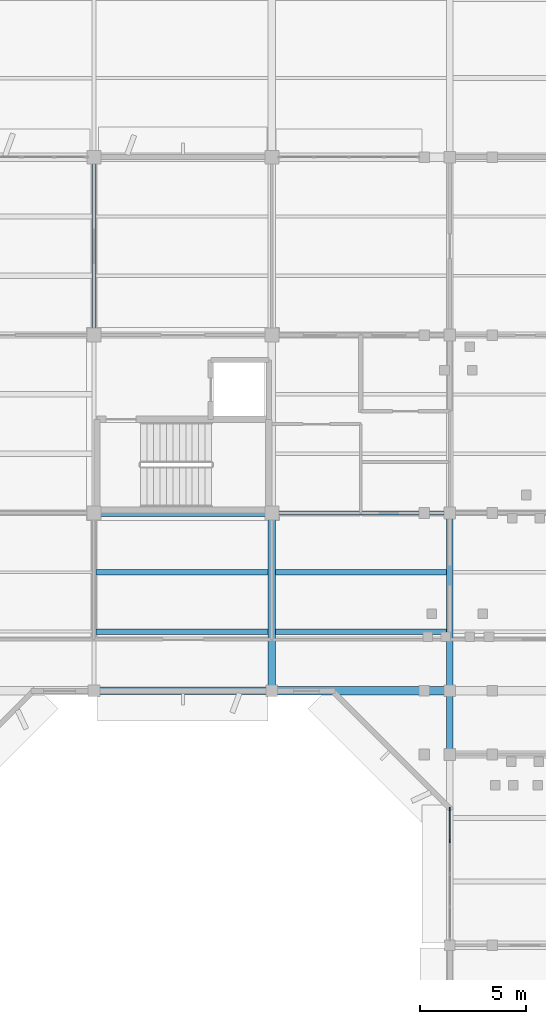
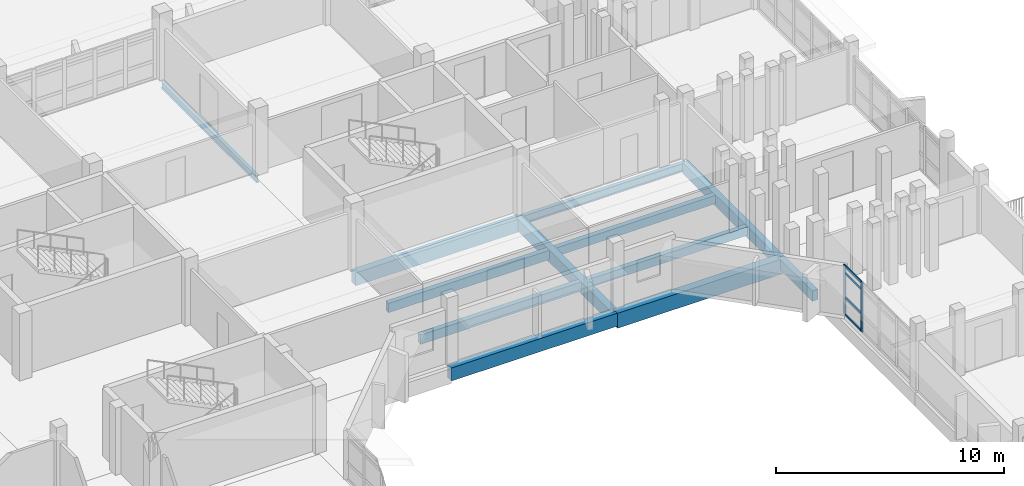
# One storey, part 37 of 92: 12 beams, 6 members, 1 element without a shape of its own.
"""IFC4 building model written with IfcOpenShell, lengths in metres."""

from ifc_helpers import new_model, si_unit, direction, frame, origin, origin_2d, place, context, subcontext, project, spatial, rectangle, i_section, extrude, material, material_profile, profile_set, type_object, element, aggregate, save


model = new_model("IFC4")

# Units and contexts
model_context = context("Model", 3, precision=1e-05, world=origin(), true_north=direction((0.0, 1.0)))
body_context = subcontext(model_context, "Body", "Model", "MODEL_VIEW")
ifc_project = project(units=[si_unit("LENGTHUNIT", "METRE"), si_unit("AREAUNIT", "SQUARE_METRE"), si_unit("VOLUMEUNIT", "CUBIC_METRE"), si_unit("PLANEANGLEUNIT", "RADIAN"), si_unit("MASSUNIT", "GRAM", prefix="KILO")], contexts=[model_context])

# Site, building, storey
site_placement = place(None, origin())
site = spatial("IfcSite", under=ifc_project, at=site_placement, CompositionType="ELEMENT")
building_placement = place(site_placement, origin())
building = spatial("IfcBuilding", under=site, at=building_placement, Name="Vanh Quang Courtyard School", CompositionType="ELEMENT")
storey_placement = place(building_placement, frame((0.0, 0.0, 7.800048828125)))
storey = spatial("IfcBuildingStorey", under=building, at=storey_placement, Name="L02", CompositionType="ELEMENT", Elevation=7.800048828125)

# Beams
ifc_material_1 = material(Name="Concrete C35/45", Category="concrete")
ifc_material_profile_1 = material_profile(ifc_material_1, rectangle(XDim=0.300048828125, YDim=0.550048828125, at=origin_2d()), Name="RC-BM 300x550")
ifc_profile_set_1 = profile_set([ifc_material_profile_1], Name="Concrete C35/45")
beam_type_1 = type_object("IfcBeamType", Name="BM-RC-300x550", PredefinedType="BEAM", material=ifc_profile_set_1)
beam_1_placement = place(storey_placement, frame((111.0, 68.39990234375, -0.554931640625), z_axis=(0.0, 1.0, 0.0), x_axis=(-1.0, 0.0, 0.0)))
element("IfcBeam", 1, at=beam_1_placement, inside=storey, type_object=beam_type_1, Name="Beam B-07 (L02)", PredefinedType="BEAM", context=body_context, shape_type="SweptSolid", body=[
    extrude(rectangle(XDim=0.300048828125, YDim=0.550048828125, at=origin_2d()), origin(), (0.0, 0.0, 1.0), 3.0),
])
ifc_material_profile_2 = material_profile(ifc_material_1, rectangle(XDim=0.300048828125, YDim=0.60009765625, at=origin_2d()), Name="RC-BM 300x600")
ifc_profile_set_2 = profile_set([ifc_material_profile_2], Name="Concrete C35/45")
beam_type_2 = type_object("IfcBeamType", Name="BM-RC-300x600", PredefinedType="BEAM", material=ifc_profile_set_2)
beam_2_placement = place(storey_placement, frame((111.0, 71.39990234375, -0.580078125), z_axis=(0.0, 1.0, 0.0), x_axis=(-1.0, 0.0, 0.0)))
element("IfcBeam", 2, at=beam_2_placement, inside=storey, type_object=beam_type_2, Name="Beam B-06 (L02)", PredefinedType="BEAM", context=body_context, shape_type="SweptSolid", body=[
    extrude(rectangle(XDim=0.300048828125, YDim=0.60009765625, at=origin_2d()), origin(), (0.0, 0.0, 1.0), 8.400146484375),
])
ifc_material_profile_3 = material_profile(ifc_material_1, rectangle(XDim=0.35009765625, YDim=0.64990234375, at=origin_2d()), Name="RC-BM 350x650")
ifc_profile_set_3 = profile_set([ifc_material_profile_3], Name="Concrete C35/45")
beam_type_3 = type_object("IfcBeamType", Name="BM-RC-350x650", PredefinedType="BEAM", material=ifc_profile_set_3)
beam_3_placement = place(storey_placement, frame((102.60009765625, 71.39990234375, -0.60498046875), z_axis=(0.0, 1.0, 0.0), x_axis=(-1.0, 0.0, 0.0)))
element("IfcBeam", 3, at=beam_3_placement, inside=storey, type_object=beam_type_3, Name="Beam B-05 (L02)", PredefinedType="BEAM", context=body_context, shape_type="SweptSolid", body=[
    extrude(rectangle(XDim=0.35009765625, YDim=0.64990234375, at=origin_2d()), origin(), (0.0, 0.0, 1.0), 8.400146484375),
])
ifc_material_profile_4 = material_profile(ifc_material_1, rectangle(XDim=0.35009765625, YDim=0.699951171875, at=origin_2d()), Name="RC-BM 350x700")
ifc_profile_set_4 = profile_set([ifc_material_profile_4], Name="Concrete C35/45")
beam_type_4 = type_object("IfcBeamType", Name="BM-RC-350x700", PredefinedType="BEAM", material=ifc_profile_set_4)
for number, where, z_axis, x_axis, name in (
    (4, (94.199951171875, 71.39990234375, -0.630126953125), (1.0, 0.0, 0.0), (0.0, 1.0, 0.0), "Beam B-04 (L02)"),
    (5, (94.199951171875, 79.800048828125, -0.630126953125), (1.0, 0.0, 0.0), (0.0, 1.0, 0.0), "Beam B-04 (L02)"),
):
    element("IfcBeam", number, at=place(storey_placement, frame(where, z_axis=z_axis, x_axis=x_axis)), inside=storey, type_object=beam_type_4, Name=name, PredefinedType="BEAM", context=body_context, shape_type="SweptSolid", body=[
        extrude(rectangle(XDim=0.35009765625, YDim=0.699951171875, at=origin_2d()), origin(), (0.0, 0.0, 1.0), 8.400146484375),
    ])
ifc_material_profile_5 = material_profile(ifc_material_1, rectangle(XDim=0.39990234375, YDim=0.800048828125, at=origin_2d()), Name="RC-BM 400x800")
ifc_profile_set_5 = profile_set([ifc_material_profile_5], Name="Concrete C35/45")
beam_type_5 = type_object("IfcBeamType", Name="BM-RC-400x800", PredefinedType="BEAM", material=ifc_profile_set_5)
beam_4_placement = place(storey_placement, frame((102.60009765625, 71.39990234375, -0.679931640625), z_axis=(1.0, 0.0, 0.0), x_axis=(0.0, 1.0, 0.0)))
element("IfcBeam", 6, at=beam_4_placement, inside=storey, type_object=beam_type_5, Name="Beam B-02 (L02)", PredefinedType="BEAM", context=body_context, shape_type="SweptSolid", body=[
    extrude(rectangle(XDim=0.39990234375, YDim=0.800048828125, at=origin_2d()), origin(), (0.0, 0.0, 1.0), 8.39990234375),
])
ifc_material_2 = material(Name="Structural steel EN 10025-2 S355J2", Category="steel")
ifc_material_profile_6 = material_profile(ifc_material_2, i_section(OverallWidth=0.169921875, OverallDepth=0.360107421875, WebThickness=0.008056640625, FlangeThickness=0.0126953125, FilletRadius=0.01806640625, at=origin_2d()), Name="IPE 360")
ifc_profile_set_6 = profile_set([ifc_material_profile_6], Name="Structural steel EN 10025-2 S355J2")
beam_type_6 = type_object("IfcBeamType", Name="BM-STL-IPE360", PredefinedType="BEAM", material=ifc_profile_set_6)
beam_5_placement = place(storey_placement, frame((94.199951171875, 88.199951171875, -0.4599609375), z_axis=(0.0, 1.0, 0.0), x_axis=(-1.0, 0.0, 0.0)))
element("IfcBeam", 7, at=beam_5_placement, inside=storey, type_object=beam_type_6, Name="Beam SB-06 (L02)", PredefinedType="BEAM", context=body_context, shape_type="SweptSolid", body=[
    extrude(i_section(OverallWidth=0.169921875, OverallDepth=0.360107421875, WebThickness=0.008056640625, FlangeThickness=0.0126953125, FilletRadius=0.01806640625, at=origin_2d()), origin(), (0.0, 0.0, 1.0), 8.400146484375),
])
ifc_material_profile_7 = material_profile(ifc_material_2, i_section(OverallWidth=0.18994140625, OverallDepth=0.449951171875, WebThickness=0.009521484375, FlangeThickness=0.0146484375, FilletRadius=0.02099609375, at=origin_2d()), Name="IPE 450")
ifc_profile_set_7 = profile_set([ifc_material_profile_7], Name="Structural steel EN 10025-2 S355J2")
beam_type_7 = type_object("IfcBeamType", Name="BM-STL-IPE450", PredefinedType="BEAM", material=ifc_profile_set_7)
beam_6_placement = place(storey_placement, frame((102.60009765625, 79.800048828125, -0.505126953125), z_axis=(1.0, 0.0, 0.0), x_axis=(0.0, 1.0, 0.0)))
element("IfcBeam", 8, at=beam_6_placement, inside=storey, type_object=beam_type_7, Name="Beam SB-04 (L02)", PredefinedType="BEAM", context=body_context, shape_type="SweptSolid", body=[
    extrude(i_section(OverallWidth=0.18994140625, OverallDepth=0.449951171875, WebThickness=0.009521484375, FlangeThickness=0.0146484375, FilletRadius=0.02099609375, at=origin_2d()), origin(), (0.0, 0.0, 1.0), 8.39990234375),
])

# Curtain wall, members
ifc_material_3 = material(Name="Thermally broken aluminium unitised curtain wall", Category="aluminium")
curtain_wall_type = type_object("IfcCurtainWallType", Name="CW-SYS-44", PredefinedType="NOTDEFINED", material=ifc_material_3)
curtain_wall_placement = place(storey_placement, origin())
curtain_wall = element("IfcCurtainWall", 9, at=curtain_wall_placement, inside=storey, type_object=curtain_wall_type, Name="Curtain Wall CW-44 (L02)", PredefinedType="NOTDEFINED")
ifc_material_4 = material(Name="Anodised aluminium 6063-T6", Category="aluminium")
ifc_material_profile_8 = material_profile(ifc_material_4, rectangle(XDim=0.06005859375, YDim=0.159912109375, at=origin_2d()), Name="ALU-MUL 60x160")
ifc_profile_set_8 = profile_set([ifc_material_profile_8], Name="Anodised aluminium 6063-T6")
member_type_1 = type_object("IfcMemberType", Name="CW-MUL-60x160", PredefinedType="MULLION", material=ifc_profile_set_8)
member_1_placement = place(storey_placement, frame((111.0, 64.306396484375, 0.0), z_axis=(0.0, 0.0, 1.0), x_axis=(-1.0, 0.0, 0.0)))
member_1 = element("IfcMember", 10, at=member_1_placement, type_object=member_type_1, Name="CW-44 mullion 4", PredefinedType="MULLION", context=body_context, shape_type="SweptSolid", body=[
    extrude(rectangle(XDim=0.06005859375, YDim=0.159912109375, at=origin_2d()), origin(), (0.0, 0.0, 1.0), 2.639892578125),
])
member_2_placement = place(storey_placement, frame((111.0, 65.825927734375, 0.0), z_axis=(0.0, 0.0, 1.0), x_axis=(-1.0, 0.0, 0.0)))
member_2 = element("IfcMember", 11, at=member_2_placement, type_object=member_type_1, Name="CW-44 mullion 5", PredefinedType="MULLION", context=body_context, shape_type="SweptSolid", body=[
    extrude(rectangle(XDim=0.06005859375, YDim=0.159912109375, at=origin_2d()), origin(), (0.0, 0.0, 1.0), 2.639892578125),
])
ifc_material_profile_9 = material_profile(ifc_material_4, rectangle(XDim=0.06005859375, YDim=0.1201171875, at=origin_2d()), Name="ALU-TRN 60x120")
ifc_profile_set_9 = profile_set([ifc_material_profile_9], Name="Anodised aluminium 6063-T6")
member_type_2 = type_object("IfcMemberType", Name="CW-TRN-60x120", PredefinedType="USERDEFINED", material=ifc_profile_set_9)
member_3_placement = place(storey_placement, frame((111.0, 64.33642578125, 0.030029296875), z_axis=(0.0, 1.0, 0.0), x_axis=(-1.0, 0.0, 0.0)))
member_3 = element("IfcMember", 12, at=member_3_placement, type_object=member_type_2, Name="CW-44 transom 4.1", ObjectType="TRANSOM", PredefinedType="USERDEFINED", context=body_context, shape_type="SweptSolid", body=[
    extrude(rectangle(XDim=0.06005859375, YDim=0.1201171875, at=origin_2d()), origin(), (0.0, 0.0, 1.0), 1.45947265625),
])
member_4_placement = place(storey_placement, frame((111.0, 64.33642578125, 0.949951171875), z_axis=(0.0, 1.0, 0.0), x_axis=(-1.0, 0.0, 0.0)))
member_4 = element("IfcMember", 13, at=member_4_placement, type_object=member_type_2, Name="CW-44 transom 4.2", ObjectType="TRANSOM", PredefinedType="USERDEFINED", context=body_context, shape_type="SweptSolid", body=[
    extrude(rectangle(XDim=0.06005859375, YDim=0.1201171875, at=origin_2d()), origin(), (0.0, 0.0, 1.0), 1.45947265625),
])
member_5_placement = place(storey_placement, frame((111.0, 64.33642578125, 2.25), z_axis=(0.0, 1.0, 0.0), x_axis=(-1.0, 0.0, 0.0)))
member_5 = element("IfcMember", 14, at=member_5_placement, type_object=member_type_2, Name="CW-44 transom 4.3", ObjectType="TRANSOM", PredefinedType="USERDEFINED", context=body_context, shape_type="SweptSolid", body=[
    extrude(rectangle(XDim=0.06005859375, YDim=0.1201171875, at=origin_2d()), origin(), (0.0, 0.0, 1.0), 1.45947265625),
])
member_6_placement = place(storey_placement, frame((111.0, 64.33642578125, 2.60986328125), z_axis=(0.0, 1.0, 0.0), x_axis=(-1.0, 0.0, 0.0)))
member_6 = element("IfcMember", 15, at=member_6_placement, type_object=member_type_2, Name="CW-44 transom 4.4", ObjectType="TRANSOM", PredefinedType="USERDEFINED", context=body_context, shape_type="SweptSolid", body=[
    extrude(rectangle(XDim=0.06005859375, YDim=0.1201171875, at=origin_2d()), origin(), (0.0, 0.0, 1.0), 1.45947265625),
])
aggregate(curtain_wall, [member_1, member_2, member_3, member_4, member_5, member_6])

# Beams
ifc_material_5 = material(Name="Concrete C30/37", Category="concrete")
ifc_material_profile_10 = material_profile(ifc_material_5, rectangle(XDim=0.25, YDim=0.449951171875, at=origin_2d()), Name="RC-JST 250x450")
ifc_profile_set_10 = profile_set([ifc_material_profile_10], Name="Concrete C30/37")
beam_type_8 = type_object("IfcBeamType", Name="JST-RC-250x450", PredefinedType="JOIST", material=ifc_profile_set_10)
for number, where, z_axis, x_axis, name in (
    (16, (102.77490234375, 74.199951171875, -0.505126953125), (1.0, 0.0, 0.0), (0.0, 1.0, 0.0), "Beam BJ-02 (L02)"),
    (17, (102.77490234375, 77.0, -0.505126953125), (1.0, 0.0, 0.0), (0.0, 1.0, 0.0), "Beam BJ-02 (L02)"),
):
    element("IfcBeam", number, at=place(storey_placement, frame(where, z_axis=z_axis, x_axis=x_axis)), inside=storey, type_object=beam_type_8, Name=name, PredefinedType="JOIST", context=body_context, shape_type="SweptSolid", body=[
        extrude(rectangle(XDim=0.25, YDim=0.449951171875, at=origin_2d()), origin(), (0.0, 0.0, 1.0), 8.0751953125),
    ])
ifc_material_profile_11 = material_profile(ifc_material_5, rectangle(XDim=0.25, YDim=0.5, at=origin_2d()), Name="RC-JST 250x500")
ifc_profile_set_11 = profile_set([ifc_material_profile_11], Name="Concrete C30/37")
beam_type_9 = type_object("IfcBeamType", Name="JST-RC-250x500", PredefinedType="JOIST", material=ifc_profile_set_11)
for number, where, z_axis, x_axis, name in (
    (18, (94.284912109375, 74.199951171875, -0.530029296875), (1.0, 0.0, 0.0), (0.0, 1.0, 0.0), "Beam BJ-01 (L02)"),
    (19, (94.284912109375, 77.0, -0.530029296875), (1.0, 0.0, 0.0), (0.0, 1.0, 0.0), "Beam BJ-01 (L02)"),
):
    element("IfcBeam", number, at=place(storey_placement, frame(where, z_axis=z_axis, x_axis=x_axis)), inside=storey, type_object=beam_type_9, Name=name, PredefinedType="JOIST", context=body_context, shape_type="SweptSolid", body=[
        extrude(rectangle(XDim=0.25, YDim=0.5, at=origin_2d()), origin(), (0.0, 0.0, 1.0), 8.14013671875),
    ])

save(model, "model.ifc")
